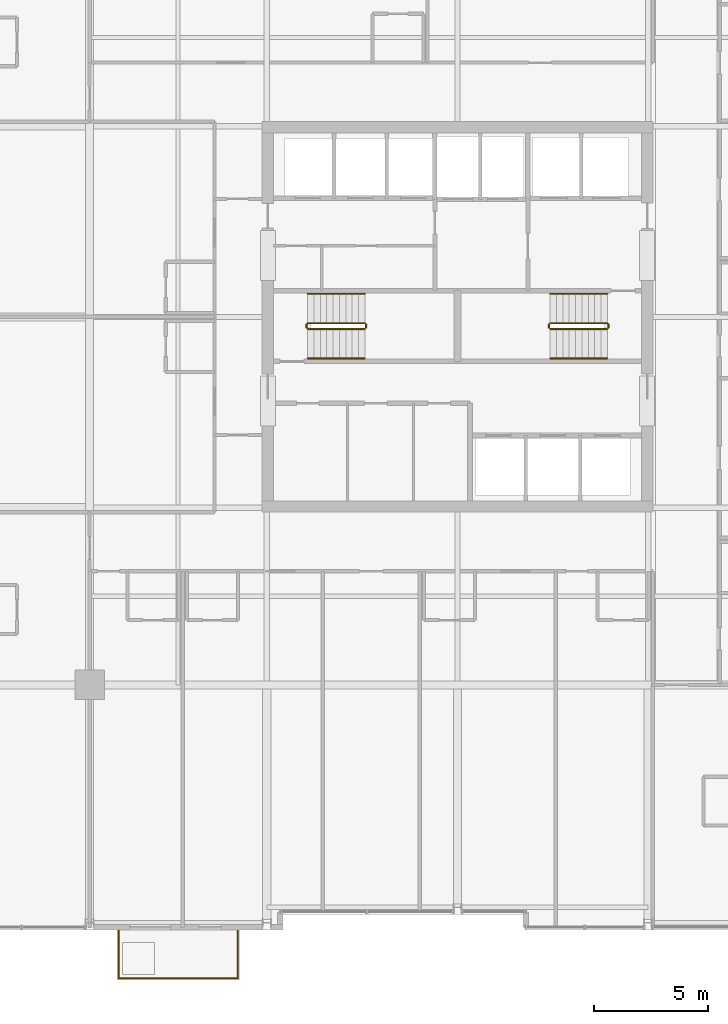
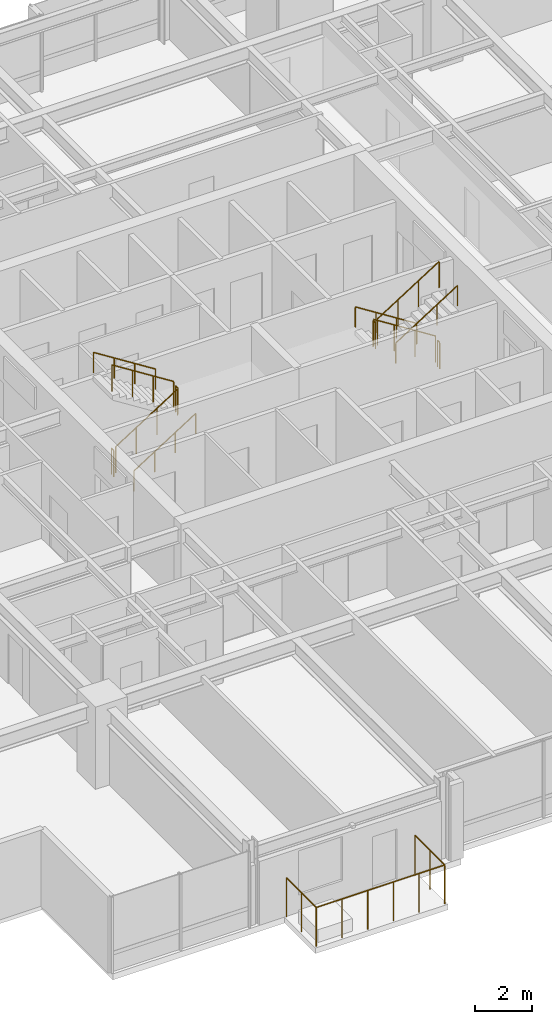
# One storey, part 31 of 32: 13 railings.
"""IFC4 building model written with IfcOpenShell, lengths in metres."""

from ifc_helpers import new_model, si_unit, direction, frame, origin, origin_2d, place, context, subcontext, project, spatial, circle, extrude, material, type_object, element, save


model = new_model("IFC4")

# Units and contexts
model_context = context("Model", 3, precision=1e-05, world=origin(), true_north=direction((0.0, 1.0)))
body_context = subcontext(model_context, "Body", "Model", "MODEL_VIEW")
ifc_project = project(units=[si_unit("LENGTHUNIT", "METRE"), si_unit("AREAUNIT", "SQUARE_METRE"), si_unit("VOLUMEUNIT", "CUBIC_METRE"), si_unit("PLANEANGLEUNIT", "RADIAN"), si_unit("MASSUNIT", "GRAM", prefix="KILO")], contexts=[model_context])

# Site, building, storey
site_placement = place(None, origin())
site = spatial("IfcSite", under=ifc_project, at=site_placement, CompositionType="ELEMENT")
building_placement = place(site_placement, origin())
building = spatial("IfcBuilding", under=site, at=building_placement, Name="Drelvath Grand Hotel", CompositionType="ELEMENT")
storey_placement = place(building_placement, frame((0.0, 0.0, 193.0)))
storey = spatial("IfcBuildingStorey", under=building, at=storey_placement, Name="L50", CompositionType="ELEMENT", Elevation=193.0)

# Railings
ifc_material_1 = material(Name="Painted Steel S275", Category="steel")
railing_type_1 = type_object("IfcRailingType", Name="Core Stair Wall Handrail 900", PredefinedType="HANDRAIL", material=ifc_material_1)
railing_1_placement = place(storey_placement, frame((-6.60009765625, 25.169921875, 0.177490234375)))
element("IfcRailing", 1, at=railing_1_placement, inside=storey, type_object=railing_type_1, Name="L50 ST-1 stair handrail 1", PredefinedType="HANDRAIL", context=body_context, shape_type="SweptSolid", body=[
    extrude(circle(Radius=0.02392578125, at=origin_2d()), frame((0.0, 0.0, 0.8759765625), z_axis=(0.84460694969, 0.0, 0.535386869969), x_axis=(0.0, 1.0, 0.0)), (0.0, 0.0, 1.0), 2.983642578125),
    extrude(circle(Radius=0.02099609375, at=origin_2d()), origin(), (0.0, 0.0, 1.0), 0.851806640625),
    extrude(circle(Radius=0.02099609375, at=origin_2d()), frame((0.840087890625, 0.0, 0.532470703125)), (0.0, 0.0, 1.0), 0.851806640625),
    extrude(circle(Radius=0.02099609375, at=origin_2d()), frame((1.679931640625, 0.0, 1.06494140625)), (0.0, 0.0, 1.0), 0.851806640625),
    extrude(circle(Radius=0.02099609375, at=origin_2d()), frame((2.52001953125, 0.0, 1.597412109375)), (0.0, 0.0, 1.0), 0.851806640625),
])
railing_2_placement = place(storey_placement, frame((-4.080078125, 28.030029296875, 1.952392578125)))
element("IfcRailing", 2, at=railing_2_placement, inside=storey, type_object=railing_type_1, Name="L50 ST-1 stair handrail 2", PredefinedType="HANDRAIL", context=body_context, shape_type="SweptSolid", body=[
    extrude(circle(Radius=0.02392578125, at=origin_2d()), frame((0.0, 0.0, 0.8759765625), z_axis=(-0.84456994832, 0.0, 0.535445237532), x_axis=(0.0, -1.0, 0.0)), (0.0, 0.0, 1.0), 2.98388671875),
    extrude(circle(Radius=0.02099609375, at=origin_2d()), origin(), (0.0, 0.0, 1.0), 0.851806640625),
    extrude(circle(Radius=0.02099609375, at=origin_2d()), frame((-0.840087890625, 0.0, 0.532470703125)), (0.0, 0.0, 1.0), 0.851806640625),
    extrude(circle(Radius=0.02099609375, at=origin_2d()), frame((-1.679931640625, 0.0, 1.065185546875)), (0.0, 0.0, 1.0), 0.851806640625),
    extrude(circle(Radius=0.02099609375, at=origin_2d()), frame((-2.52001953125, 0.0, 1.59765625)), (0.0, 0.0, 1.0), 0.851806640625),
])
railing_3_placement = place(storey_placement, frame((6.60009765625, 28.030029296875, 0.177490234375)))
element("IfcRailing", 3, at=railing_3_placement, inside=storey, type_object=railing_type_1, Name="L50 ST-2 stair handrail 1", PredefinedType="HANDRAIL", context=body_context, shape_type="SweptSolid", body=[
    extrude(circle(Radius=0.02392578125, at=origin_2d()), frame((0.0, 0.0, 0.8759765625), z_axis=(-0.84460694969, 0.0, 0.535386869969), x_axis=(0.0, -1.0, 0.0)), (0.0, 0.0, 1.0), 2.983642578125),
    extrude(circle(Radius=0.02099609375, at=origin_2d()), origin(), (0.0, 0.0, 1.0), 0.851806640625),
    extrude(circle(Radius=0.02099609375, at=origin_2d()), frame((-0.840087890625, 0.0, 0.532470703125)), (0.0, 0.0, 1.0), 0.851806640625),
    extrude(circle(Radius=0.02099609375, at=origin_2d()), frame((-1.679931640625, 0.0, 1.06494140625)), (0.0, 0.0, 1.0), 0.851806640625),
    extrude(circle(Radius=0.02099609375, at=origin_2d()), frame((-2.52001953125, 0.0, 1.597412109375)), (0.0, 0.0, 1.0), 0.851806640625),
])
railing_4_placement = place(storey_placement, frame((4.080078125, 25.169921875, 1.952392578125)))
element("IfcRailing", 4, at=railing_4_placement, inside=storey, type_object=railing_type_1, Name="L50 ST-2 stair handrail 2", PredefinedType="HANDRAIL", context=body_context, shape_type="SweptSolid", body=[
    extrude(circle(Radius=0.02392578125, at=origin_2d()), frame((0.0, 0.0, 0.8759765625), z_axis=(0.84456994832, 0.0, 0.535445237532), x_axis=(0.0, 1.0, 0.0)), (0.0, 0.0, 1.0), 2.98388671875),
    extrude(circle(Radius=0.02099609375, at=origin_2d()), origin(), (0.0, 0.0, 1.0), 0.851806640625),
    extrude(circle(Radius=0.02099609375, at=origin_2d()), frame((0.840087890625, 0.0, 0.532470703125)), (0.0, 0.0, 1.0), 0.851806640625),
    extrude(circle(Radius=0.02099609375, at=origin_2d()), frame((1.679931640625, 0.0, 1.065185546875)), (0.0, 0.0, 1.0), 0.851806640625),
    extrude(circle(Radius=0.02099609375, at=origin_2d()), frame((2.52001953125, 0.0, 1.59765625)), (0.0, 0.0, 1.0), 0.851806640625),
])
railing_type_2 = type_object("IfcRailingType", Name="Core Stair Well Guardrail 1100", PredefinedType="GUARDRAIL", material=ifc_material_1)
railing_5_placement = place(storey_placement, frame((-6.60009765625, 26.469970703125, 0.177490234375)))
element("IfcRailing", 5, at=railing_5_placement, inside=storey, type_object=railing_type_2, Name="L50 ST-1 stair guard 1", PredefinedType="GUARDRAIL", context=body_context, shape_type="SweptSolid", body=[
    extrude(circle(Radius=0.02392578125, at=origin_2d()), frame((0.0, 0.0, 1.1259765625), z_axis=(0.84460694969, 0.0, 0.535386869969), x_axis=(0.0, 1.0, 0.0)), (0.0, 0.0, 1.0), 2.983642578125),
    extrude(circle(Radius=0.02099609375, at=origin_2d()), origin(), (0.0, 0.0, 1.0), 1.101806640625),
    extrude(circle(Radius=0.02099609375, at=origin_2d()), frame((0.840087890625, 0.0, 0.532470703125)), (0.0, 0.0, 1.0), 1.101806640625),
    extrude(circle(Radius=0.02099609375, at=origin_2d()), frame((1.679931640625, 0.0, 1.06494140625)), (0.0, 0.0, 1.0), 1.101806640625),
    extrude(circle(Radius=0.02099609375, at=origin_2d()), frame((2.52001953125, 0.0, 1.597412109375)), (0.0, 0.0, 1.0), 1.101806640625),
])
railing_6_placement = place(storey_placement, frame((-4.030029296875, 26.52001953125, 1.77490234375)))
element("IfcRailing", 6, at=railing_6_placement, inside=storey, type_object=railing_type_2, Name="L50 ST-1 stair guard 2", PredefinedType="GUARDRAIL", context=body_context, shape_type="SweptSolid", body=[
    extrude(circle(Radius=0.02392578125, at=origin_2d()), frame((0.0, 0.0, 1.1259765625), z_axis=(0.0, 1.0, 0.0), x_axis=(-1.0, 0.0, 0.0)), (0.0, 0.0, 1.0), 0.159912109375),
    extrude(circle(Radius=0.02099609375, at=origin_2d()), origin(), (0.0, 0.0, 1.0), 1.101806640625),
    extrude(circle(Radius=0.02099609375, at=origin_2d()), frame((0.0, 0.159912109375, 0.0)), (0.0, 0.0, 1.0), 1.101806640625),
])
railing_7_placement = place(storey_placement, frame((-4.080078125, 26.72998046875, 1.952392578125)))
element("IfcRailing", 7, at=railing_7_placement, inside=storey, type_object=railing_type_2, Name="L50 ST-1 stair guard 3", PredefinedType="GUARDRAIL", context=body_context, shape_type="SweptSolid", body=[
    extrude(circle(Radius=0.02392578125, at=origin_2d()), frame((0.0, 0.0, 1.1259765625), z_axis=(-0.84456994832, 0.0, 0.535445237532), x_axis=(0.0, -1.0, 0.0)), (0.0, 0.0, 1.0), 2.98388671875),
    extrude(circle(Radius=0.02099609375, at=origin_2d()), origin(), (0.0, 0.0, 1.0), 1.101806640625),
    extrude(circle(Radius=0.02099609375, at=origin_2d()), frame((-0.840087890625, 0.0, 0.532470703125)), (0.0, 0.0, 1.0), 1.101806640625),
    extrude(circle(Radius=0.02099609375, at=origin_2d()), frame((-1.679931640625, 0.0, 1.065185546875)), (0.0, 0.0, 1.0), 1.101806640625),
    extrude(circle(Radius=0.02099609375, at=origin_2d()), frame((-2.52001953125, 0.0, 1.59765625)), (0.0, 0.0, 1.0), 1.101806640625),
])
railing_8_placement = place(storey_placement, frame((-6.64990234375, 26.52001953125, 0.0)))
element("IfcRailing", 8, at=railing_8_placement, inside=storey, type_object=railing_type_2, Name="L50 ST-1 stair guard 4", PredefinedType="GUARDRAIL", context=body_context, shape_type="SweptSolid", body=[
    extrude(circle(Radius=0.02392578125, at=origin_2d()), frame((0.0, 0.0, 1.1259765625), z_axis=(0.0, 1.0, 0.0), x_axis=(-1.0, 0.0, 0.0)), (0.0, 0.0, 1.0), 0.159912109375),
    extrude(circle(Radius=0.02099609375, at=origin_2d()), origin(), (0.0, 0.0, 1.0), 1.101806640625),
    extrude(circle(Radius=0.02099609375, at=origin_2d()), frame((0.0, 0.159912109375, 0.0)), (0.0, 0.0, 1.0), 1.101806640625),
])
railing_9_placement = place(storey_placement, frame((6.60009765625, 26.72998046875, 0.177490234375)))
element("IfcRailing", 9, at=railing_9_placement, inside=storey, type_object=railing_type_2, Name="L50 ST-2 stair guard 1", PredefinedType="GUARDRAIL", context=body_context, shape_type="SweptSolid", body=[
    extrude(circle(Radius=0.02392578125, at=origin_2d()), frame((0.0, 0.0, 1.1259765625), z_axis=(-0.84460694969, 0.0, 0.535386869969), x_axis=(0.0, -1.0, 0.0)), (0.0, 0.0, 1.0), 2.983642578125),
    extrude(circle(Radius=0.02099609375, at=origin_2d()), origin(), (0.0, 0.0, 1.0), 1.101806640625),
    extrude(circle(Radius=0.02099609375, at=origin_2d()), frame((-0.840087890625, 0.0, 0.532470703125)), (0.0, 0.0, 1.0), 1.101806640625),
    extrude(circle(Radius=0.02099609375, at=origin_2d()), frame((-1.679931640625, 0.0, 1.06494140625)), (0.0, 0.0, 1.0), 1.101806640625),
    extrude(circle(Radius=0.02099609375, at=origin_2d()), frame((-2.52001953125, 0.0, 1.597412109375)), (0.0, 0.0, 1.0), 1.101806640625),
])
railing_10_placement = place(storey_placement, frame((4.030029296875, 26.679931640625, 1.77490234375)))
element("IfcRailing", 10, at=railing_10_placement, inside=storey, type_object=railing_type_2, Name="L50 ST-2 stair guard 2", PredefinedType="GUARDRAIL", context=body_context, shape_type="SweptSolid", body=[
    extrude(circle(Radius=0.02392578125, at=origin_2d()), frame((0.0, 0.0, 1.1259765625), z_axis=(0.0, -1.0, 0.0), x_axis=(1.0, 0.0, 0.0)), (0.0, 0.0, 1.0), 0.159912109375),
    extrude(circle(Radius=0.02099609375, at=origin_2d()), origin(), (0.0, 0.0, 1.0), 1.101806640625),
    extrude(circle(Radius=0.02099609375, at=origin_2d()), frame((0.0, -0.159912109375, 0.0)), (0.0, 0.0, 1.0), 1.101806640625),
])
railing_11_placement = place(storey_placement, frame((4.080078125, 26.469970703125, 1.952392578125)))
element("IfcRailing", 11, at=railing_11_placement, inside=storey, type_object=railing_type_2, Name="L50 ST-2 stair guard 3", PredefinedType="GUARDRAIL", context=body_context, shape_type="SweptSolid", body=[
    extrude(circle(Radius=0.02392578125, at=origin_2d()), frame((0.0, 0.0, 1.1259765625), z_axis=(0.84456994832, 0.0, 0.535445237532), x_axis=(0.0, 1.0, 0.0)), (0.0, 0.0, 1.0), 2.98388671875),
    extrude(circle(Radius=0.02099609375, at=origin_2d()), origin(), (0.0, 0.0, 1.0), 1.101806640625),
    extrude(circle(Radius=0.02099609375, at=origin_2d()), frame((0.840087890625, 0.0, 0.532470703125)), (0.0, 0.0, 1.0), 1.101806640625),
    extrude(circle(Radius=0.02099609375, at=origin_2d()), frame((1.679931640625, 0.0, 1.065185546875)), (0.0, 0.0, 1.0), 1.101806640625),
    extrude(circle(Radius=0.02099609375, at=origin_2d()), frame((2.52001953125, 0.0, 1.59765625)), (0.0, 0.0, 1.0), 1.101806640625),
])
railing_12_placement = place(storey_placement, frame((6.64990234375, 26.679931640625, 0.0)))
element("IfcRailing", 12, at=railing_12_placement, inside=storey, type_object=railing_type_2, Name="L50 ST-2 stair guard 4", PredefinedType="GUARDRAIL", context=body_context, shape_type="SweptSolid", body=[
    extrude(circle(Radius=0.02392578125, at=origin_2d()), frame((0.0, 0.0, 1.1259765625), z_axis=(0.0, -1.0, 0.0), x_axis=(1.0, 0.0, 0.0)), (0.0, 0.0, 1.0), 0.159912109375),
    extrude(circle(Radius=0.02099609375, at=origin_2d()), origin(), (0.0, 0.0, 1.0), 1.101806640625),
    extrude(circle(Radius=0.02099609375, at=origin_2d()), frame((0.0, -0.159912109375, 0.0)), (0.0, 0.0, 1.0), 1.101806640625),
])
ifc_material_2 = material(Name="Anodised Aluminium and Laminated Glass Balustrade", Category="aluminium")
railing_type_3 = type_object("IfcRailingType", Name="Raised Planter Edge Balustrade 1700", PredefinedType="BALUSTRADE", material=ifc_material_2)
railing_13_placement = place(storey_placement, frame((-14.919921875, -0.02001953125, 0.0)))
element("IfcRailing", 13, at=railing_13_placement, inside=storey, type_object=railing_type_3, Name="L50 Tree Balcony Perimeter Balustrade 1", PredefinedType="BALUSTRADE", context=body_context, shape_type="SweptSolid", body=[
    extrude(circle(Radius=0.02392578125, at=origin_2d()), frame((0.0, 0.0, 1.67578125), z_axis=(0.0, -1.0, 0.0), x_axis=(1.0, 0.0, 0.0)), (0.0, 0.0, 1.0), 2.10009765625),
    extrude(circle(Radius=0.02392578125, at=origin_2d()), frame((0.0, -2.10009765625, 1.67578125), z_axis=(1.0, 0.0, 0.0), x_axis=(0.0, 1.0, 0.0)), (0.0, 0.0, 1.0), 5.239990234375),
    extrude(circle(Radius=0.02392578125, at=origin_2d()), frame((5.239990234375, -2.10009765625, 1.67578125), z_axis=(0.0, 1.0, 0.0), x_axis=(-1.0, 0.0, 0.0)), (0.0, 0.0, 1.0), 2.10009765625),
    extrude(circle(Radius=0.02099609375, at=origin_2d()), origin(), (0.0, 0.0, 1.0), 1.65185546875),
    extrude(circle(Radius=0.02099609375, at=origin_2d()), frame((0.0, -1.050048828125, 0.0)), (0.0, 0.0, 1.0), 1.65185546875),
    extrude(circle(Radius=0.02099609375, at=origin_2d()), frame((0.0, -2.10009765625, 0.0)), (0.0, 0.0, 1.0), 1.65185546875),
    extrude(circle(Radius=0.02099609375, at=origin_2d()), frame((1.048095703125, -2.10009765625, 0.0)), (0.0, 0.0, 1.0), 1.65185546875),
    extrude(circle(Radius=0.02099609375, at=origin_2d()), frame((2.095947265625, -2.10009765625, 0.0)), (0.0, 0.0, 1.0), 1.65185546875),
    extrude(circle(Radius=0.02099609375, at=origin_2d()), frame((3.14404296875, -2.10009765625, 0.0)), (0.0, 0.0, 1.0), 1.65185546875),
    extrude(circle(Radius=0.02099609375, at=origin_2d()), frame((4.19189453125, -2.10009765625, 0.0)), (0.0, 0.0, 1.0), 1.65185546875),
    extrude(circle(Radius=0.02099609375, at=origin_2d()), frame((5.239990234375, -2.10009765625, 0.0)), (0.0, 0.0, 1.0), 1.65185546875),
    extrude(circle(Radius=0.02099609375, at=origin_2d()), frame((5.239990234375, -1.050048828125, 0.0)), (0.0, 0.0, 1.0), 1.65185546875),
    extrude(circle(Radius=0.02099609375, at=origin_2d()), frame((5.239990234375, 0.0, 0.0)), (0.0, 0.0, 1.0), 1.65185546875),
])

save(model, "model.ifc")
